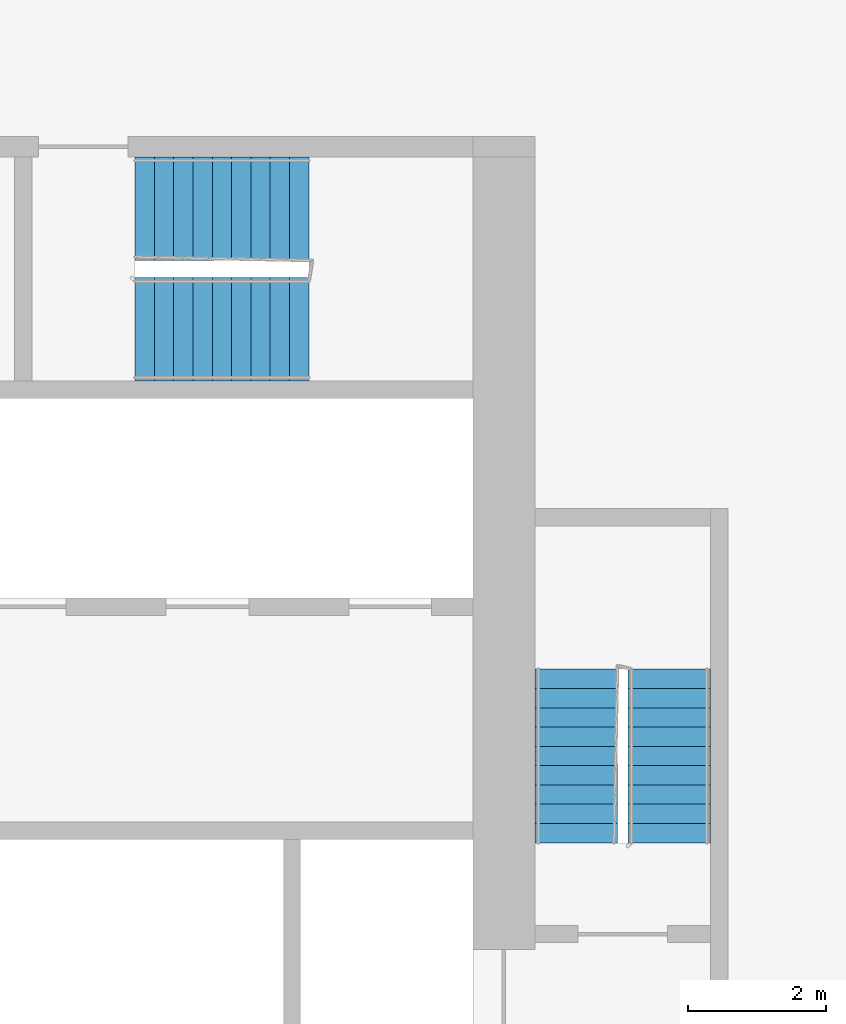
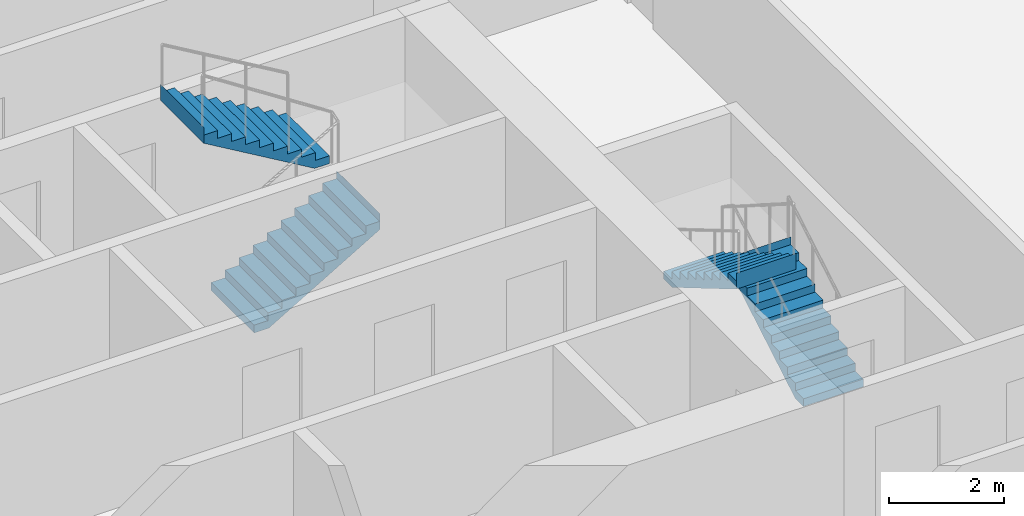
# One storey, part 11 of 13: 4 stair flights, 2 elements without a shape of their own.
"""IFC4 building model written with IfcOpenShell, lengths in metres."""

from ifc_helpers import new_model, si_unit, direction, frame, origin, place, context, subcontext, project, spatial, faceted_brep, material, type_object, element, aggregate, save


model = new_model("IFC4")

# Units and contexts
model_context = context("Model", 3, precision=1e-05, world=origin(), true_north=direction((0.0, 1.0)))
body_context = subcontext(model_context, "Body", "Model", "MODEL_VIEW")
ifc_project = project(units=[si_unit("LENGTHUNIT", "METRE"), si_unit("AREAUNIT", "SQUARE_METRE"), si_unit("VOLUMEUNIT", "CUBIC_METRE"), si_unit("PLANEANGLEUNIT", "RADIAN"), si_unit("MASSUNIT", "GRAM", prefix="KILO")], contexts=[model_context])

# Site, building, storey
site_placement = place(None, origin())
site = spatial("IfcSite", under=ifc_project, at=site_placement, CompositionType="ELEMENT")
building_placement = place(site_placement, origin())
building = spatial("IfcBuilding", under=site, at=building_placement, Name="Kajstack Hotel Tower", CompositionType="ELEMENT")
storey_placement = place(building_placement, frame((0.0, 0.0, 89.699951171875)))
storey = spatial("IfcBuildingStorey", under=building, at=storey_placement, Name="L18", CompositionType="ELEMENT", Elevation=89.699951171875)

# Stair, stair flights
ifc_material = material(Name="Concrete C40/50", Category="concrete")
stair_type_1 = type_object("IfcStairType", Name="Exit stair 1200", PredefinedType="HALF_TURN_STAIR", material=ifc_material)
stair_1_placement = place(storey_placement, origin())
stair_1 = element("IfcStair", 1, at=stair_1_placement, inside=storey, type_object=stair_type_1, Name="L18 stair E1", PredefinedType="HALF_TURN_STAIR")
stair_flight_type_1 = type_object("IfcStairFlightType", Name="Exit stair flight 1200", PredefinedType="STRAIGHT", material=ifc_material)
stair_flight_1_placement = place(storey_placement, frame((33.449951171875, 5.25, 0.0), z_axis=(0.0, 0.0, 1.0), x_axis=(0.0, 1.0, 0.0)))
stair_flight_1 = element("IfcStairFlight", 2, at=stair_flight_1_placement, type_object=stair_flight_type_1, Name="E1 flight 1", NumberOfRisers=10, NumberOfTreads=9, PredefinedType="STRAIGHT", RiserHeight=0.165, TreadLength=0.28, context=body_context, shape_type="Brep", body=[
    faceted_brep([(0.295654296875, -0.60009765625, 0.0), (2.5205078125, -0.60009765625, 1.31103515625), (2.5205078125, -0.60009765625, 1.64990234375), (2.52001953125, -0.60009765625, 1.64990234375), (2.52001953125, -0.60009765625, 1.485107421875), (2.239990234375, -0.60009765625, 1.485107421875), (2.239990234375, -0.60009765625, 1.320068359375), (1.9599609375, -0.60009765625, 1.320068359375), (1.9599609375, -0.60009765625, 1.155029296875), (1.679931640625, -0.60009765625, 1.155029296875), (1.679931640625, -0.60009765625, 0.989990234375), (1.39990234375, -0.60009765625, 0.989990234375), (1.39990234375, -0.60009765625, 0.824951171875), (1.1201171875, -0.60009765625, 0.824951171875), (1.1201171875, -0.60009765625, 0.659912109375), (0.840087890625, -0.60009765625, 0.659912109375), (0.840087890625, -0.60009765625, 0.4951171875), (0.56005859375, -0.60009765625, 0.4951171875), (0.56005859375, -0.60009765625, 0.330078125), (0.280029296875, -0.60009765625, 0.330078125), (0.280029296875, -0.60009765625, 0.1650390625), (-0.00048828125, -0.60009765625, 0.1650390625), (-0.00048828125, -0.60009765625, 0.0), (-0.00048828125, 0.60009765625, 0.0), (-0.00048828125, 0.60009765625, 0.1650390625), (0.280029296875, 0.60009765625, 0.1650390625), (0.280029296875, 0.60009765625, 0.330078125), (0.56005859375, 0.60009765625, 0.330078125), (0.56005859375, 0.60009765625, 0.4951171875), (0.840087890625, 0.60009765625, 0.4951171875), (0.840087890625, 0.60009765625, 0.659912109375), (1.1201171875, 0.60009765625, 0.659912109375), (1.1201171875, 0.60009765625, 0.824951171875), (1.39990234375, 0.60009765625, 0.824951171875), (1.39990234375, 0.60009765625, 0.989990234375), (1.679931640625, 0.60009765625, 0.989990234375), (1.679931640625, 0.60009765625, 1.155029296875), (1.9599609375, 0.60009765625, 1.155029296875), (1.9599609375, 0.60009765625, 1.320068359375), (2.239990234375, 0.60009765625, 1.320068359375), (2.239990234375, 0.60009765625, 1.485107421875), (2.52001953125, 0.60009765625, 1.485107421875), (2.52001953125, 0.60009765625, 1.64990234375), (2.5205078125, 0.60009765625, 1.64990234375), (2.5205078125, 0.60009765625, 1.31103515625), (0.295654296875, 0.60009765625, 0.0), (-0.00048828125, -0.300048828125, 0.1650390625), (-0.00048828125, 0.0, 0.1650390625), (-0.00048828125, 0.300048828125, 0.1650390625), (-0.00048828125, 0.300048828125, 0.0), (-0.00048828125, 0.0, 0.0), (-0.00048828125, -0.300048828125, 0.0), (0.280029296875, -0.300048828125, 0.1650390625), (0.280029296875, 0.0, 0.1650390625), (0.280029296875, 0.300048828125, 0.1650390625), (0.280029296875, -0.300048828125, 0.330078125), (0.280029296875, 0.0, 0.330078125), (0.280029296875, 0.300048828125, 0.330078125), (0.56005859375, -0.300048828125, 0.330078125), (0.56005859375, 0.0, 0.330078125), (0.56005859375, 0.300048828125, 0.330078125), (0.56005859375, -0.300048828125, 0.4951171875), (0.56005859375, 0.0, 0.4951171875), (0.56005859375, 0.300048828125, 0.4951171875), (0.840087890625, -0.300048828125, 0.4951171875), (0.840087890625, 0.0, 0.4951171875), (0.840087890625, 0.300048828125, 0.4951171875), (0.840087890625, -0.300048828125, 0.659912109375), (0.840087890625, 0.0, 0.659912109375), (0.840087890625, 0.300048828125, 0.659912109375), (1.1201171875, -0.300048828125, 0.659912109375), (1.1201171875, 0.0, 0.659912109375), (1.1201171875, 0.300048828125, 0.659912109375), (1.1201171875, -0.300048828125, 0.824951171875), (1.1201171875, 0.0, 0.824951171875), (1.1201171875, 0.300048828125, 0.824951171875), (1.39990234375, -0.300048828125, 0.824951171875), (1.39990234375, 0.0, 0.824951171875), (1.39990234375, 0.300048828125, 0.824951171875), (1.39990234375, -0.300048828125, 0.989990234375), (1.39990234375, 0.0, 0.989990234375), (1.39990234375, 0.300048828125, 0.989990234375), (1.679931640625, -0.300048828125, 0.989990234375), (1.679931640625, 0.0, 0.989990234375), (1.679931640625, 0.300048828125, 0.989990234375), (1.679931640625, -0.300048828125, 1.155029296875), (1.679931640625, 0.0, 1.155029296875), (1.679931640625, 0.300048828125, 1.155029296875), (1.9599609375, -0.300048828125, 1.155029296875), (1.9599609375, 0.0, 1.155029296875), (1.9599609375, 0.300048828125, 1.155029296875), (1.9599609375, -0.300048828125, 1.320068359375), (1.9599609375, 0.0, 1.320068359375), (1.9599609375, 0.300048828125, 1.320068359375), (2.239990234375, -0.300048828125, 1.320068359375), (2.239990234375, 0.0, 1.320068359375), (2.239990234375, 0.300048828125, 1.320068359375), (2.239990234375, -0.300048828125, 1.485107421875), (2.239990234375, 0.0, 1.485107421875), (2.239990234375, 0.300048828125, 1.485107421875), (2.52001953125, -0.300048828125, 1.485107421875), (2.52001953125, 0.0, 1.485107421875), (2.52001953125, 0.300048828125, 1.485107421875), (2.52001953125, -0.300048828125, 1.64990234375), (2.52001953125, 0.0, 1.64990234375), (2.52001953125, 0.300048828125, 1.64990234375), (2.5205078125, -0.300048828125, 1.64990234375), (2.5205078125, 0.0, 1.64990234375), (2.5205078125, 0.300048828125, 1.64990234375), (2.5205078125, -0.300048828125, 1.31103515625), (2.5205078125, 0.0, 1.31103515625), (2.5205078125, 0.300048828125, 1.31103515625), (0.295654296875, -0.300048828125, 0.0), (0.295654296875, 0.0, 0.0), (0.295654296875, 0.300048828125, 0.0)], [[[0, 1, 2, 3, 4, 5, 6, 7, 8, 9, 10, 11, 12, 13, 14, 15, 16, 17, 18, 19, 20, 21, 22]], [[23, 24, 25, 26, 27, 28, 29, 30, 31, 32, 33, 34, 35, 36, 37, 38, 39, 40, 41, 42, 43, 44, 45]], [[21, 46, 47, 48, 24, 23, 49, 50, 51, 22]], [[20, 52, 53, 54, 25, 24, 48, 47, 46, 21]], [[19, 55, 56, 57, 26, 25, 54, 53, 52, 20]], [[18, 58, 59, 60, 27, 26, 57, 56, 55, 19]], [[17, 61, 62, 63, 28, 27, 60, 59, 58, 18]], [[16, 64, 65, 66, 29, 28, 63, 62, 61, 17]], [[15, 67, 68, 69, 30, 29, 66, 65, 64, 16]], [[14, 70, 71, 72, 31, 30, 69, 68, 67, 15]], [[13, 73, 74, 75, 32, 31, 72, 71, 70, 14]], [[12, 76, 77, 78, 33, 32, 75, 74, 73, 13]], [[11, 79, 80, 81, 34, 33, 78, 77, 76, 12]], [[10, 82, 83, 84, 35, 34, 81, 80, 79, 11]], [[9, 85, 86, 87, 36, 35, 84, 83, 82, 10]], [[8, 88, 89, 90, 37, 36, 87, 86, 85, 9]], [[7, 91, 92, 93, 38, 37, 90, 89, 88, 8]], [[6, 94, 95, 96, 39, 38, 93, 92, 91, 7]], [[5, 97, 98, 99, 40, 39, 96, 95, 94, 6]], [[4, 100, 101, 102, 41, 40, 99, 98, 97, 5]], [[3, 103, 104, 105, 42, 41, 102, 101, 100, 4]], [[2, 106, 107, 108, 43, 42, 105, 104, 103, 3]], [[1, 109, 110, 111, 44, 43, 108, 107, 106, 2]], [[0, 112, 113, 114, 45, 44, 111, 110, 109, 1]], [[22, 51, 50, 49, 23, 45, 114, 113, 112, 0]]]),
])
stair_flight_2_placement = place(storey_placement, frame((32.10009765625, 7.77001953125, 1.650146484375), z_axis=(0.0, 0.0, 1.0), x_axis=(0.0, -1.0, 0.0)))
stair_flight_2 = element("IfcStairFlight", 3, at=stair_flight_2_placement, type_object=stair_flight_type_1, Name="E1 flight 2", NumberOfRisers=10, NumberOfTreads=9, PredefinedType="STRAIGHT", RiserHeight=0.165, TreadLength=0.28, context=body_context, shape_type="Brep", body=[
    faceted_brep([(0.295654296875, -0.60009765625, 0.0), (2.5205078125, -0.60009765625, 1.31103515625), (2.5205078125, -0.60009765625, 1.64990234375), (2.52001953125, -0.60009765625, 1.64990234375), (2.52001953125, -0.60009765625, 1.485107421875), (2.239990234375, -0.60009765625, 1.485107421875), (2.239990234375, -0.60009765625, 1.320068359375), (1.9599609375, -0.60009765625, 1.320068359375), (1.9599609375, -0.60009765625, 1.155029296875), (1.679931640625, -0.60009765625, 1.155029296875), (1.679931640625, -0.60009765625, 0.989990234375), (1.39990234375, -0.60009765625, 0.989990234375), (1.39990234375, -0.60009765625, 0.824951171875), (1.1201171875, -0.60009765625, 0.824951171875), (1.1201171875, -0.60009765625, 0.659912109375), (0.840087890625, -0.60009765625, 0.659912109375), (0.840087890625, -0.60009765625, 0.4951171875), (0.56005859375, -0.60009765625, 0.4951171875), (0.56005859375, -0.60009765625, 0.330078125), (0.280029296875, -0.60009765625, 0.330078125), (0.280029296875, -0.60009765625, 0.1650390625), (-0.00048828125, -0.60009765625, 0.1650390625), (-0.00048828125, -0.60009765625, 0.0), (-0.00048828125, 0.60009765625, 0.0), (-0.00048828125, 0.60009765625, 0.1650390625), (0.280029296875, 0.60009765625, 0.1650390625), (0.280029296875, 0.60009765625, 0.330078125), (0.56005859375, 0.60009765625, 0.330078125), (0.56005859375, 0.60009765625, 0.4951171875), (0.840087890625, 0.60009765625, 0.4951171875), (0.840087890625, 0.60009765625, 0.659912109375), (1.1201171875, 0.60009765625, 0.659912109375), (1.1201171875, 0.60009765625, 0.824951171875), (1.39990234375, 0.60009765625, 0.824951171875), (1.39990234375, 0.60009765625, 0.989990234375), (1.679931640625, 0.60009765625, 0.989990234375), (1.679931640625, 0.60009765625, 1.155029296875), (1.9599609375, 0.60009765625, 1.155029296875), (1.9599609375, 0.60009765625, 1.320068359375), (2.239990234375, 0.60009765625, 1.320068359375), (2.239990234375, 0.60009765625, 1.485107421875), (2.52001953125, 0.60009765625, 1.485107421875), (2.52001953125, 0.60009765625, 1.64990234375), (2.5205078125, 0.60009765625, 1.64990234375), (2.5205078125, 0.60009765625, 1.31103515625), (0.295654296875, 0.60009765625, 0.0), (-0.00048828125, -0.300048828125, 0.1650390625), (-0.00048828125, 0.0, 0.1650390625), (-0.00048828125, 0.300048828125, 0.1650390625), (-0.00048828125, 0.300048828125, 0.0), (-0.00048828125, 0.0, 0.0), (-0.00048828125, -0.300048828125, 0.0), (0.280029296875, -0.300048828125, 0.1650390625), (0.280029296875, 0.0, 0.1650390625), (0.280029296875, 0.300048828125, 0.1650390625), (0.280029296875, -0.300048828125, 0.330078125), (0.280029296875, 0.0, 0.330078125), (0.280029296875, 0.300048828125, 0.330078125), (0.56005859375, -0.300048828125, 0.330078125), (0.56005859375, 0.0, 0.330078125), (0.56005859375, 0.300048828125, 0.330078125), (0.56005859375, -0.300048828125, 0.4951171875), (0.56005859375, 0.0, 0.4951171875), (0.56005859375, 0.300048828125, 0.4951171875), (0.840087890625, -0.300048828125, 0.4951171875), (0.840087890625, 0.0, 0.4951171875), (0.840087890625, 0.300048828125, 0.4951171875), (0.840087890625, -0.300048828125, 0.659912109375), (0.840087890625, 0.0, 0.659912109375), (0.840087890625, 0.300048828125, 0.659912109375), (1.1201171875, -0.300048828125, 0.659912109375), (1.1201171875, 0.0, 0.659912109375), (1.1201171875, 0.300048828125, 0.659912109375), (1.1201171875, -0.300048828125, 0.824951171875), (1.1201171875, 0.0, 0.824951171875), (1.1201171875, 0.300048828125, 0.824951171875), (1.39990234375, -0.300048828125, 0.824951171875), (1.39990234375, 0.0, 0.824951171875), (1.39990234375, 0.300048828125, 0.824951171875), (1.39990234375, -0.300048828125, 0.989990234375), (1.39990234375, 0.0, 0.989990234375), (1.39990234375, 0.300048828125, 0.989990234375), (1.679931640625, -0.300048828125, 0.989990234375), (1.679931640625, 0.0, 0.989990234375), (1.679931640625, 0.300048828125, 0.989990234375), (1.679931640625, -0.300048828125, 1.155029296875), (1.679931640625, 0.0, 1.155029296875), (1.679931640625, 0.300048828125, 1.155029296875), (1.9599609375, -0.300048828125, 1.155029296875), (1.9599609375, 0.0, 1.155029296875), (1.9599609375, 0.300048828125, 1.155029296875), (1.9599609375, -0.300048828125, 1.320068359375), (1.9599609375, 0.0, 1.320068359375), (1.9599609375, 0.300048828125, 1.320068359375), (2.239990234375, -0.300048828125, 1.320068359375), (2.239990234375, 0.0, 1.320068359375), (2.239990234375, 0.300048828125, 1.320068359375), (2.239990234375, -0.300048828125, 1.485107421875), (2.239990234375, 0.0, 1.485107421875), (2.239990234375, 0.300048828125, 1.485107421875), (2.52001953125, -0.300048828125, 1.485107421875), (2.52001953125, 0.0, 1.485107421875), (2.52001953125, 0.300048828125, 1.485107421875), (2.52001953125, -0.300048828125, 1.64990234375), (2.52001953125, 0.0, 1.64990234375), (2.52001953125, 0.300048828125, 1.64990234375), (2.5205078125, -0.300048828125, 1.64990234375), (2.5205078125, 0.0, 1.64990234375), (2.5205078125, 0.300048828125, 1.64990234375), (2.5205078125, -0.300048828125, 1.31103515625), (2.5205078125, 0.0, 1.31103515625), (2.5205078125, 0.300048828125, 1.31103515625), (0.295654296875, -0.300048828125, 0.0), (0.295654296875, 0.0, 0.0), (0.295654296875, 0.300048828125, 0.0)], [[[0, 1, 2, 3, 4, 5, 6, 7, 8, 9, 10, 11, 12, 13, 14, 15, 16, 17, 18, 19, 20, 21, 22]], [[23, 24, 25, 26, 27, 28, 29, 30, 31, 32, 33, 34, 35, 36, 37, 38, 39, 40, 41, 42, 43, 44, 45]], [[21, 46, 47, 48, 24, 23, 49, 50, 51, 22]], [[20, 52, 53, 54, 25, 24, 48, 47, 46, 21]], [[19, 55, 56, 57, 26, 25, 54, 53, 52, 20]], [[18, 58, 59, 60, 27, 26, 57, 56, 55, 19]], [[17, 61, 62, 63, 28, 27, 60, 59, 58, 18]], [[16, 64, 65, 66, 29, 28, 63, 62, 61, 17]], [[15, 67, 68, 69, 30, 29, 66, 65, 64, 16]], [[14, 70, 71, 72, 31, 30, 69, 68, 67, 15]], [[13, 73, 74, 75, 32, 31, 72, 71, 70, 14]], [[12, 76, 77, 78, 33, 32, 75, 74, 73, 13]], [[11, 79, 80, 81, 34, 33, 78, 77, 76, 12]], [[10, 82, 83, 84, 35, 34, 81, 80, 79, 11]], [[9, 85, 86, 87, 36, 35, 84, 83, 82, 10]], [[8, 88, 89, 90, 37, 36, 87, 86, 85, 9]], [[7, 91, 92, 93, 38, 37, 90, 89, 88, 8]], [[6, 94, 95, 96, 39, 38, 93, 92, 91, 7]], [[5, 97, 98, 99, 40, 39, 96, 95, 94, 6]], [[4, 100, 101, 102, 41, 40, 99, 98, 97, 5]], [[3, 103, 104, 105, 42, 41, 102, 101, 100, 4]], [[2, 106, 107, 108, 43, 42, 105, 104, 103, 3]], [[1, 109, 110, 111, 44, 43, 108, 107, 106, 2]], [[0, 112, 113, 114, 45, 44, 111, 110, 109, 1]], [[22, 51, 50, 49, 23, 45, 114, 113, 112, 0]]]),
])
aggregate(stair_1, [stair_flight_1, stair_flight_2])

stair_type_2 = type_object("IfcStairType", Name="Exit stair 1500", PredefinedType="HALF_TURN_STAIR", material=ifc_material)
stair_2_placement = place(storey_placement, origin())
stair_2 = element("IfcStair", 4, at=stair_2_placement, inside=storey, type_object=stair_type_2, Name="L18 stair E3", PredefinedType="HALF_TURN_STAIR")
stair_flight_type_2 = type_object("IfcStairFlightType", Name="Exit stair flight 1500", PredefinedType="STRAIGHT", material=ifc_material)
stair_flight_3_placement = place(storey_placement, frame((25.699951171875, 12.699951171875, 0.0), z_axis=(0.0, 0.0, 1.0), x_axis=(1.0, 0.0, 0.0)))
stair_flight_3 = element("IfcStairFlight", 5, at=stair_flight_3_placement, type_object=stair_flight_type_2, Name="E3 flight 1", NumberOfRisers=10, NumberOfTreads=9, PredefinedType="STRAIGHT", RiserHeight=0.165, TreadLength=0.28, context=body_context, shape_type="Brep", body=[
    faceted_brep([(0.295654296875, -0.75, 0.0), (2.5205078125, -0.75, 1.31103515625), (2.5205078125, -0.75, 1.64990234375), (2.52001953125, -0.75, 1.64990234375), (2.52001953125, -0.75, 1.485107421875), (2.239990234375, -0.75, 1.485107421875), (2.239990234375, -0.75, 1.320068359375), (1.9599609375, -0.75, 1.320068359375), (1.9599609375, -0.75, 1.155029296875), (1.679931640625, -0.75, 1.155029296875), (1.679931640625, -0.75, 0.989990234375), (1.39990234375, -0.75, 0.989990234375), (1.39990234375, -0.75, 0.824951171875), (1.1201171875, -0.75, 0.824951171875), (1.1201171875, -0.75, 0.659912109375), (0.840087890625, -0.75, 0.659912109375), (0.840087890625, -0.75, 0.4951171875), (0.56005859375, -0.75, 0.4951171875), (0.56005859375, -0.75, 0.330078125), (0.280029296875, -0.75, 0.330078125), (0.280029296875, -0.75, 0.1650390625), (-0.00048828125, -0.75, 0.1650390625), (-0.00048828125, -0.75, 0.0), (-0.00048828125, 0.75, 0.0), (-0.00048828125, 0.75, 0.1650390625), (0.280029296875, 0.75, 0.1650390625), (0.280029296875, 0.75, 0.330078125), (0.56005859375, 0.75, 0.330078125), (0.56005859375, 0.75, 0.4951171875), (0.840087890625, 0.75, 0.4951171875), (0.840087890625, 0.75, 0.659912109375), (1.1201171875, 0.75, 0.659912109375), (1.1201171875, 0.75, 0.824951171875), (1.39990234375, 0.75, 0.824951171875), (1.39990234375, 0.75, 0.989990234375), (1.679931640625, 0.75, 0.989990234375), (1.679931640625, 0.75, 1.155029296875), (1.9599609375, 0.75, 1.155029296875), (1.9599609375, 0.75, 1.320068359375), (2.239990234375, 0.75, 1.320068359375), (2.239990234375, 0.75, 1.485107421875), (2.52001953125, 0.75, 1.485107421875), (2.52001953125, 0.75, 1.64990234375), (2.5205078125, 0.75, 1.64990234375), (2.5205078125, 0.75, 1.31103515625), (0.295654296875, 0.75, 0.0), (-0.00048828125, -0.375, 0.1650390625), (-0.00048828125, 0.0, 0.1650390625), (-0.00048828125, 0.375, 0.1650390625), (-0.00048828125, 0.375, 0.0), (-0.00048828125, 0.0, 0.0), (-0.00048828125, -0.375, 0.0), (0.280029296875, -0.375, 0.1650390625), (0.280029296875, 0.0, 0.1650390625), (0.280029296875, 0.375, 0.1650390625), (0.280029296875, -0.375, 0.330078125), (0.280029296875, 0.0, 0.330078125), (0.280029296875, 0.375, 0.330078125), (0.56005859375, -0.375, 0.330078125), (0.56005859375, 0.0, 0.330078125), (0.56005859375, 0.375, 0.330078125), (0.56005859375, -0.375, 0.4951171875), (0.56005859375, 0.0, 0.4951171875), (0.56005859375, 0.375, 0.4951171875), (0.840087890625, -0.375, 0.4951171875), (0.840087890625, 0.0, 0.4951171875), (0.840087890625, 0.375, 0.4951171875), (0.840087890625, -0.375, 0.659912109375), (0.840087890625, 0.0, 0.659912109375), (0.840087890625, 0.375, 0.659912109375), (1.1201171875, -0.375, 0.659912109375), (1.1201171875, 0.0, 0.659912109375), (1.1201171875, 0.375, 0.659912109375), (1.1201171875, -0.375, 0.824951171875), (1.1201171875, 0.0, 0.824951171875), (1.1201171875, 0.375, 0.824951171875), (1.39990234375, -0.375, 0.824951171875), (1.39990234375, 0.0, 0.824951171875), (1.39990234375, 0.375, 0.824951171875), (1.39990234375, -0.375, 0.989990234375), (1.39990234375, 0.0, 0.989990234375), (1.39990234375, 0.375, 0.989990234375), (1.679931640625, -0.375, 0.989990234375), (1.679931640625, 0.0, 0.989990234375), (1.679931640625, 0.375, 0.989990234375), (1.679931640625, -0.375, 1.155029296875), (1.679931640625, 0.0, 1.155029296875), (1.679931640625, 0.375, 1.155029296875), (1.9599609375, -0.375, 1.155029296875), (1.9599609375, 0.0, 1.155029296875), (1.9599609375, 0.375, 1.155029296875), (1.9599609375, -0.375, 1.320068359375), (1.9599609375, 0.0, 1.320068359375), (1.9599609375, 0.375, 1.320068359375), (2.239990234375, -0.375, 1.320068359375), (2.239990234375, 0.0, 1.320068359375), (2.239990234375, 0.375, 1.320068359375), (2.239990234375, -0.375, 1.485107421875), (2.239990234375, 0.0, 1.485107421875), (2.239990234375, 0.375, 1.485107421875), (2.52001953125, -0.375, 1.485107421875), (2.52001953125, 0.0, 1.485107421875), (2.52001953125, 0.375, 1.485107421875), (2.52001953125, -0.375, 1.64990234375), (2.52001953125, 0.0, 1.64990234375), (2.52001953125, 0.375, 1.64990234375), (2.5205078125, -0.375, 1.64990234375), (2.5205078125, 0.0, 1.64990234375), (2.5205078125, 0.375, 1.64990234375), (2.5205078125, -0.375, 1.31103515625), (2.5205078125, 0.0, 1.31103515625), (2.5205078125, 0.375, 1.31103515625), (0.295654296875, -0.375, 0.0), (0.295654296875, 0.0, 0.0), (0.295654296875, 0.375, 0.0)], [[[0, 1, 2, 3, 4, 5, 6, 7, 8, 9, 10, 11, 12, 13, 14, 15, 16, 17, 18, 19, 20, 21, 22]], [[23, 24, 25, 26, 27, 28, 29, 30, 31, 32, 33, 34, 35, 36, 37, 38, 39, 40, 41, 42, 43, 44, 45]], [[21, 46, 47, 48, 24, 23, 49, 50, 51, 22]], [[20, 52, 53, 54, 25, 24, 48, 47, 46, 21]], [[19, 55, 56, 57, 26, 25, 54, 53, 52, 20]], [[18, 58, 59, 60, 27, 26, 57, 56, 55, 19]], [[17, 61, 62, 63, 28, 27, 60, 59, 58, 18]], [[16, 64, 65, 66, 29, 28, 63, 62, 61, 17]], [[15, 67, 68, 69, 30, 29, 66, 65, 64, 16]], [[14, 70, 71, 72, 31, 30, 69, 68, 67, 15]], [[13, 73, 74, 75, 32, 31, 72, 71, 70, 14]], [[12, 76, 77, 78, 33, 32, 75, 74, 73, 13]], [[11, 79, 80, 81, 34, 33, 78, 77, 76, 12]], [[10, 82, 83, 84, 35, 34, 81, 80, 79, 11]], [[9, 85, 86, 87, 36, 35, 84, 83, 82, 10]], [[8, 88, 89, 90, 37, 36, 87, 86, 85, 9]], [[7, 91, 92, 93, 38, 37, 90, 89, 88, 8]], [[6, 94, 95, 96, 39, 38, 93, 92, 91, 7]], [[5, 97, 98, 99, 40, 39, 96, 95, 94, 6]], [[4, 100, 101, 102, 41, 40, 99, 98, 97, 5]], [[3, 103, 104, 105, 42, 41, 102, 101, 100, 4]], [[2, 106, 107, 108, 43, 42, 105, 104, 103, 3]], [[1, 109, 110, 111, 44, 43, 108, 107, 106, 2]], [[0, 112, 113, 114, 45, 44, 111, 110, 109, 1]], [[22, 51, 50, 49, 23, 45, 114, 113, 112, 0]]]),
])
stair_flight_4_placement = place(storey_placement, frame((28.219970703125, 14.449951171875, 1.650146484375), z_axis=(0.0, 0.0, 1.0), x_axis=(-1.0, 0.0, 0.0)))
stair_flight_4 = element("IfcStairFlight", 6, at=stair_flight_4_placement, type_object=stair_flight_type_2, Name="E3 flight 2", NumberOfRisers=10, NumberOfTreads=9, PredefinedType="STRAIGHT", RiserHeight=0.165, TreadLength=0.28, context=body_context, shape_type="Brep", body=[
    faceted_brep([(0.295654296875, -0.75, 0.0), (2.5205078125, -0.75, 1.31103515625), (2.5205078125, -0.75, 1.64990234375), (2.52001953125, -0.75, 1.64990234375), (2.52001953125, -0.75, 1.485107421875), (2.239990234375, -0.75, 1.485107421875), (2.239990234375, -0.75, 1.320068359375), (1.9599609375, -0.75, 1.320068359375), (1.9599609375, -0.75, 1.155029296875), (1.679931640625, -0.75, 1.155029296875), (1.679931640625, -0.75, 0.989990234375), (1.39990234375, -0.75, 0.989990234375), (1.39990234375, -0.75, 0.824951171875), (1.1201171875, -0.75, 0.824951171875), (1.1201171875, -0.75, 0.659912109375), (0.840087890625, -0.75, 0.659912109375), (0.840087890625, -0.75, 0.4951171875), (0.56005859375, -0.75, 0.4951171875), (0.56005859375, -0.75, 0.330078125), (0.280029296875, -0.75, 0.330078125), (0.280029296875, -0.75, 0.1650390625), (-0.00048828125, -0.75, 0.1650390625), (-0.00048828125, -0.75, 0.0), (-0.00048828125, 0.75, 0.0), (-0.00048828125, 0.75, 0.1650390625), (0.280029296875, 0.75, 0.1650390625), (0.280029296875, 0.75, 0.330078125), (0.56005859375, 0.75, 0.330078125), (0.56005859375, 0.75, 0.4951171875), (0.840087890625, 0.75, 0.4951171875), (0.840087890625, 0.75, 0.659912109375), (1.1201171875, 0.75, 0.659912109375), (1.1201171875, 0.75, 0.824951171875), (1.39990234375, 0.75, 0.824951171875), (1.39990234375, 0.75, 0.989990234375), (1.679931640625, 0.75, 0.989990234375), (1.679931640625, 0.75, 1.155029296875), (1.9599609375, 0.75, 1.155029296875), (1.9599609375, 0.75, 1.320068359375), (2.239990234375, 0.75, 1.320068359375), (2.239990234375, 0.75, 1.485107421875), (2.52001953125, 0.75, 1.485107421875), (2.52001953125, 0.75, 1.64990234375), (2.5205078125, 0.75, 1.64990234375), (2.5205078125, 0.75, 1.31103515625), (0.295654296875, 0.75, 0.0), (-0.00048828125, -0.375, 0.1650390625), (-0.00048828125, 0.0, 0.1650390625), (-0.00048828125, 0.375, 0.1650390625), (-0.00048828125, 0.375, 0.0), (-0.00048828125, 0.0, 0.0), (-0.00048828125, -0.375, 0.0), (0.280029296875, -0.375, 0.1650390625), (0.280029296875, 0.0, 0.1650390625), (0.280029296875, 0.375, 0.1650390625), (0.280029296875, -0.375, 0.330078125), (0.280029296875, 0.0, 0.330078125), (0.280029296875, 0.375, 0.330078125), (0.56005859375, -0.375, 0.330078125), (0.56005859375, 0.0, 0.330078125), (0.56005859375, 0.375, 0.330078125), (0.56005859375, -0.375, 0.4951171875), (0.56005859375, 0.0, 0.4951171875), (0.56005859375, 0.375, 0.4951171875), (0.840087890625, -0.375, 0.4951171875), (0.840087890625, 0.0, 0.4951171875), (0.840087890625, 0.375, 0.4951171875), (0.840087890625, -0.375, 0.659912109375), (0.840087890625, 0.0, 0.659912109375), (0.840087890625, 0.375, 0.659912109375), (1.1201171875, -0.375, 0.659912109375), (1.1201171875, 0.0, 0.659912109375), (1.1201171875, 0.375, 0.659912109375), (1.1201171875, -0.375, 0.824951171875), (1.1201171875, 0.0, 0.824951171875), (1.1201171875, 0.375, 0.824951171875), (1.39990234375, -0.375, 0.824951171875), (1.39990234375, 0.0, 0.824951171875), (1.39990234375, 0.375, 0.824951171875), (1.39990234375, -0.375, 0.989990234375), (1.39990234375, 0.0, 0.989990234375), (1.39990234375, 0.375, 0.989990234375), (1.679931640625, -0.375, 0.989990234375), (1.679931640625, 0.0, 0.989990234375), (1.679931640625, 0.375, 0.989990234375), (1.679931640625, -0.375, 1.155029296875), (1.679931640625, 0.0, 1.155029296875), (1.679931640625, 0.375, 1.155029296875), (1.9599609375, -0.375, 1.155029296875), (1.9599609375, 0.0, 1.155029296875), (1.9599609375, 0.375, 1.155029296875), (1.9599609375, -0.375, 1.320068359375), (1.9599609375, 0.0, 1.320068359375), (1.9599609375, 0.375, 1.320068359375), (2.239990234375, -0.375, 1.320068359375), (2.239990234375, 0.0, 1.320068359375), (2.239990234375, 0.375, 1.320068359375), (2.239990234375, -0.375, 1.485107421875), (2.239990234375, 0.0, 1.485107421875), (2.239990234375, 0.375, 1.485107421875), (2.52001953125, -0.375, 1.485107421875), (2.52001953125, 0.0, 1.485107421875), (2.52001953125, 0.375, 1.485107421875), (2.52001953125, -0.375, 1.64990234375), (2.52001953125, 0.0, 1.64990234375), (2.52001953125, 0.375, 1.64990234375), (2.5205078125, -0.375, 1.64990234375), (2.5205078125, 0.0, 1.64990234375), (2.5205078125, 0.375, 1.64990234375), (2.5205078125, -0.375, 1.31103515625), (2.5205078125, 0.0, 1.31103515625), (2.5205078125, 0.375, 1.31103515625), (0.295654296875, -0.375, 0.0), (0.295654296875, 0.0, 0.0), (0.295654296875, 0.375, 0.0)], [[[0, 1, 2, 3, 4, 5, 6, 7, 8, 9, 10, 11, 12, 13, 14, 15, 16, 17, 18, 19, 20, 21, 22]], [[23, 24, 25, 26, 27, 28, 29, 30, 31, 32, 33, 34, 35, 36, 37, 38, 39, 40, 41, 42, 43, 44, 45]], [[21, 46, 47, 48, 24, 23, 49, 50, 51, 22]], [[20, 52, 53, 54, 25, 24, 48, 47, 46, 21]], [[19, 55, 56, 57, 26, 25, 54, 53, 52, 20]], [[18, 58, 59, 60, 27, 26, 57, 56, 55, 19]], [[17, 61, 62, 63, 28, 27, 60, 59, 58, 18]], [[16, 64, 65, 66, 29, 28, 63, 62, 61, 17]], [[15, 67, 68, 69, 30, 29, 66, 65, 64, 16]], [[14, 70, 71, 72, 31, 30, 69, 68, 67, 15]], [[13, 73, 74, 75, 32, 31, 72, 71, 70, 14]], [[12, 76, 77, 78, 33, 32, 75, 74, 73, 13]], [[11, 79, 80, 81, 34, 33, 78, 77, 76, 12]], [[10, 82, 83, 84, 35, 34, 81, 80, 79, 11]], [[9, 85, 86, 87, 36, 35, 84, 83, 82, 10]], [[8, 88, 89, 90, 37, 36, 87, 86, 85, 9]], [[7, 91, 92, 93, 38, 37, 90, 89, 88, 8]], [[6, 94, 95, 96, 39, 38, 93, 92, 91, 7]], [[5, 97, 98, 99, 40, 39, 96, 95, 94, 6]], [[4, 100, 101, 102, 41, 40, 99, 98, 97, 5]], [[3, 103, 104, 105, 42, 41, 102, 101, 100, 4]], [[2, 106, 107, 108, 43, 42, 105, 104, 103, 3]], [[1, 109, 110, 111, 44, 43, 108, 107, 106, 2]], [[0, 112, 113, 114, 45, 44, 111, 110, 109, 1]], [[22, 51, 50, 49, 23, 45, 114, 113, 112, 0]]]),
])
aggregate(stair_2, [stair_flight_3, stair_flight_4])

save(model, "model.ifc")
